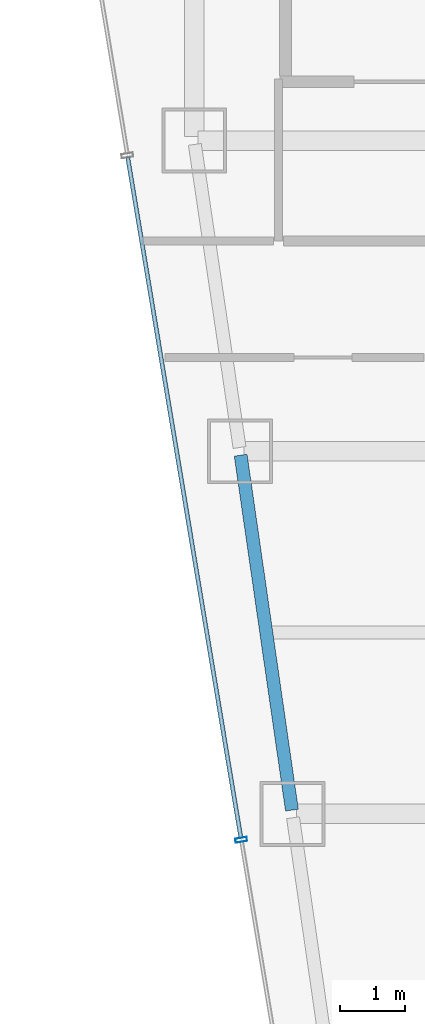
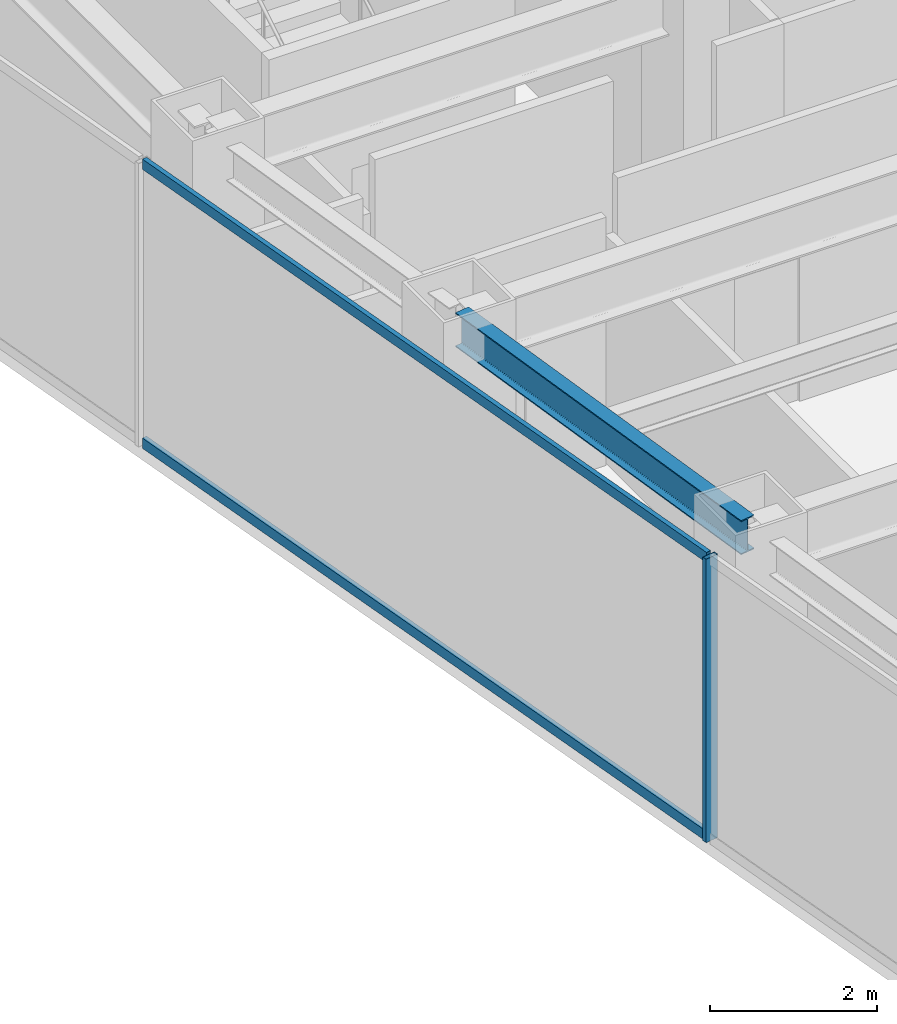
# One storey, part 9 of 37: 3 members, 1 beam, 1 element without a shape of its own.
"""IFC4 building model written with IfcOpenShell, lengths in metres."""

from ifc_helpers import new_model, si_unit, direction, frame, origin, origin_2d, place, context, subcontext, project, spatial, hollow_rectangle, i_section, extrude, material, material_profile, profile_set, type_object, element, aggregate, save


model = new_model("IFC4")

# Units and contexts
model_context = context("Model", 3, precision=1e-05, world=origin(), true_north=direction((0.0, 1.0)))
body_context = subcontext(model_context, "Body", "Model", "MODEL_VIEW")
ifc_project = project(units=[si_unit("LENGTHUNIT", "METRE"), si_unit("AREAUNIT", "SQUARE_METRE"), si_unit("VOLUMEUNIT", "CUBIC_METRE"), si_unit("PLANEANGLEUNIT", "RADIAN"), si_unit("MASSUNIT", "GRAM", prefix="KILO")], contexts=[model_context])

# Site, building, storey
site_placement = place(None, origin())
site = spatial("IfcSite", under=ifc_project, at=site_placement, CompositionType="ELEMENT")
building_placement = place(site_placement, origin())
building = spatial("IfcBuilding", under=site, at=building_placement, Name="Saevonmaru Cultural Tower", CompositionType="ELEMENT")
storey_placement = place(building_placement, frame((0.0, 0.0, 114.800048828125)))
storey = spatial("IfcBuildingStorey", under=building, at=storey_placement, Name="L24", CompositionType="ELEMENT", Elevation=114.800048828125)

# Beam
ifc_material_1 = material(Name="Steel SM355", Category="steel")
ifc_material_profile_1 = material_profile(ifc_material_1, i_section(OverallWidth=0.199951171875, OverallDepth=0.5, WebThickness=0.010009765625, FlangeThickness=0.01611328125, FilletRadius=0.02001953125, at=origin_2d()), Name="H-500x200x10x16")
ifc_profile_set_1 = profile_set([ifc_material_profile_1], Name="Steel SM355")
beam_type = type_object("IfcBeamType", Name="BM-SP-H500", PredefinedType="SPANDREL", material=ifc_profile_set_1)
beam_placement = place(storey_placement, frame((8.308349609375, 32.059326171875, 3.89990234375), z_axis=(-0.142964121327, 0.989727871697, 0.0), x_axis=(-0.989727871697, -0.142964121327, 0.0)))
element("IfcBeam", 1, at=beam_placement, inside=storey, type_object=beam_type, Name="L24 West Splayed Spandrel 4", PredefinedType="SPANDREL", context=body_context, shape_type="SweptSolid", body=[
    extrude(i_section(OverallWidth=0.199951171875, OverallDepth=0.5, WebThickness=0.010009765625, FlangeThickness=0.01611328125, FilletRadius=0.02001953125, at=origin_2d()), origin(), (0.0, 0.0, 1.0), 5.5380859375),
])

# Curtain wall, members
ifc_material_2 = material(Name="Satin Bronze Anodised Aluminium", Category="aluminium")
curtain_wall_type = type_object("IfcCurtainWallType", Name="CW-TYP-A", PredefinedType="NOTDEFINED", material=ifc_material_2)
curtain_wall_placement = place(storey_placement, origin())
curtain_wall = element("IfcCurtainWall", 2, at=curtain_wall_placement, inside=storey, type_object=curtain_wall_type, Name="L24 Unitised Curtain Wall E12", PredefinedType="NOTDEFINED")
ifc_material_profile_2 = material_profile(ifc_material_2, hollow_rectangle(XDim=0.06494140625, YDim=0.179931640625, WallThickness=0.00390625, at=origin_2d()), Name="ALU-MULL-180x65x4")
ifc_profile_set_2 = profile_set([ifc_material_profile_2], Name="Satin Bronze Anodised Aluminium")
member_type_1 = type_object("IfcMemberType", Name="ML-CW-180x65", PredefinedType="MULLION", material=ifc_profile_set_2)
member_1_placement = place(storey_placement, frame((7.5244140625, 31.60009765625, 0.0), z_axis=(0.0, 0.0, 1.0), x_axis=(0.163998702345, -0.986460554523, 0.0)))
member_1 = element("IfcMember", 3, at=member_1_placement, type_object=member_type_1, Name="CW-TW-L24-E12 mullion 3", PredefinedType="MULLION", context=body_context, shape_type="SweptSolid", body=[
    extrude(hollow_rectangle(XDim=0.06494140625, YDim=0.179931640625, WallThickness=0.00390625, at=origin_2d()), origin(), (0.0, 0.0, 1.0), 4.14990234375),
])
ifc_material_profile_3 = material_profile(ifc_material_2, hollow_rectangle(XDim=0.06494140625, YDim=0.14990234375, WallThickness=0.00390625, at=origin_2d()), Name="ALU-TRAN-150x65x4")
ifc_profile_set_3 = profile_set([ifc_material_profile_3], Name="Satin Bronze Anodised Aluminium")
member_type_2 = type_object("IfcMemberType", Name="TR-CW-150x65", PredefinedType="USERDEFINED", material=ifc_profile_set_3)
member_2_placement = place(storey_placement, frame((5.7724609375, 42.138427734375, 0.032470703125), z_axis=(0.163990079074, -0.9864619881, 0.0), x_axis=(0.9864619881, 0.163990079074, 0.0)))
member_2 = element("IfcMember", 4, at=member_2_placement, type_object=member_type_2, Name="CW-TW-L24-E12 transom 2.1", ObjectType="TRANSOM", PredefinedType="USERDEFINED", context=body_context, shape_type="SweptSolid", body=[
    extrude(hollow_rectangle(XDim=0.06494140625, YDim=0.14990234375, WallThickness=0.00390625, at=origin_2d()), origin(), (0.0, 0.0, 1.0), 10.650634765625),
])
member_3_placement = place(storey_placement, frame((5.7724609375, 42.138427734375, 4.117431640625), z_axis=(0.163990079074, -0.9864619881, 0.0), x_axis=(0.9864619881, 0.163990079074, 0.0)))
member_3 = element("IfcMember", 5, at=member_3_placement, type_object=member_type_2, Name="CW-TW-L24-E12 transom 2.2", ObjectType="TRANSOM", PredefinedType="USERDEFINED", context=body_context, shape_type="SweptSolid", body=[
    extrude(hollow_rectangle(XDim=0.06494140625, YDim=0.14990234375, WallThickness=0.00390625, at=origin_2d()), origin(), (0.0, 0.0, 1.0), 10.650634765625),
])
aggregate(curtain_wall, [member_1, member_2, member_3])

save(model, "model.ifc")
